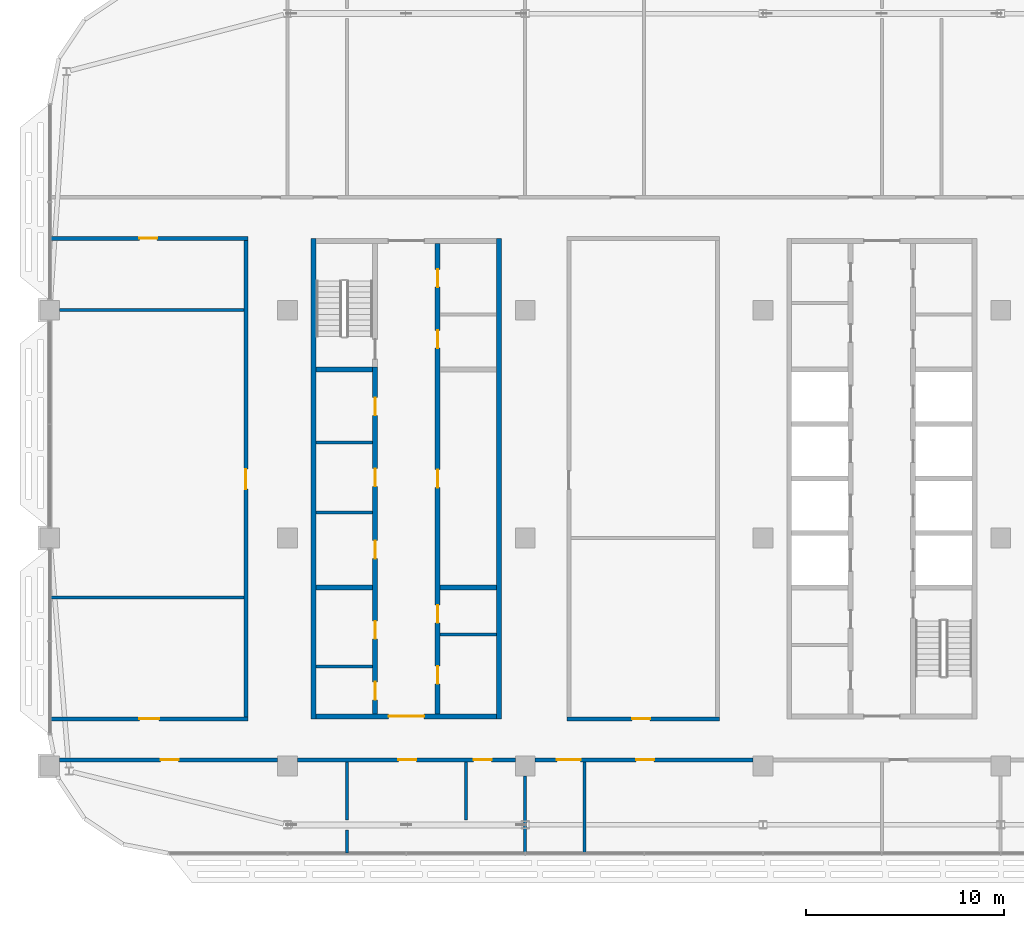
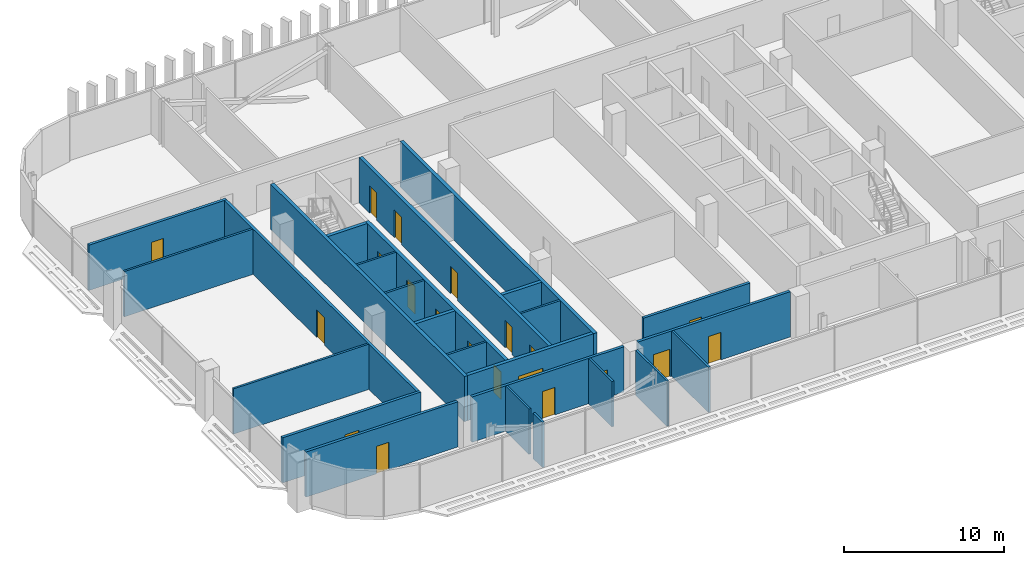
# One storey, part 17 of 32: 26 walls, 20 doors, 20 openings.
"""IFC4 building model written with IfcOpenShell, lengths in metres."""

import ifcopenshell
import ifcopenshell.guid

model = None  # the IFC model being written
_history = None  # IfcOwnerHistory: only IFC2X3 demands one
_inside = {}  # id of a spatial element -> (the spatial element, [elements in it])
_under = {}  # id of a project, library or spatial element -> (it, [spatial elements below it])
_declared = {}  # id of a project -> (the project, [libraries it declares])
_typed = {}  # id of a type object -> (the type object, [elements of that type])
_made_of = {}  # id of a material, layer set ... -> (it, [elements and type objects made of it])


def new_model(schema):
    """Start an empty IFC model of exactly this schema.

    Asked for "IFC4X3", IfcOpenShell would pick the latest addendum, in which some entities
    have other attributes; the version numbers below select the first issue.
    IFC2X3 requires an IfcOwnerHistory on every rooted entity: one is made here for all.
    """
    global model, _history
    if schema == "IFC4X3":
        model = ifcopenshell.file(schema_version=(4, 3, 0, 0))
    else:
        model = ifcopenshell.file(schema=schema)
    _inside.clear()
    _under.clear()
    _declared.clear()
    _typed.clear()
    _made_of.clear()
    _history = None
    if model.schema == "IFC2X3":
        org = make("IfcOrganization", Name="unknown")
        user = make(
            "IfcPersonAndOrganization",
            ThePerson=make("IfcPerson", FamilyName="unknown"),
            TheOrganization=org,
        )
        app = make(
            "IfcApplication",
            ApplicationDeveloper=org,
            Version="unknown",
            ApplicationFullName="unknown",
            ApplicationIdentifier="unknown",
        )
        _history = make(
            "IfcOwnerHistory",
            OwningUser=user,
            OwningApplication=app,
            ChangeAction="ADDED",
            CreationDate=0,
        )
    return model


def make(cls, **values):
    """One entity of the class cls with the attributes given. An attribute that is None is left unset."""
    return model.create_entity(
        cls, **{name: value for name, value in values.items() if value is not None}
    )


def rooted(cls, **values):
    """An entity with a GlobalId (a new one), such as an element, a storey or a relation."""
    return make(cls, GlobalId=ifcopenshell.guid.new(), OwnerHistory=_history, **values)


def si_unit(unit_type, name, prefix=None):
    """IfcSIUnit, for example si_unit("LENGTHUNIT", "METRE", prefix="MILLI")."""
    return make("IfcSIUnit", UnitType=unit_type, Prefix=prefix, Name=name)


def assignment(units):
    """IfcUnitAssignment: the units of a project."""
    return None if units is None else make("IfcUnitAssignment", Units=units)


def point(xyz):
    """IfcCartesianPoint."""
    return None if xyz is None else make("IfcCartesianPoint", Coordinates=xyz)


def direction(xyz):
    """IfcDirection."""
    return None if xyz is None else make("IfcDirection", DirectionRatios=xyz)


def frame(location, z_axis=None, x_axis=None):
    """IfcAxis2Placement3D, a coordinate frame: its origin and axes. An axis left out is left unset."""
    return make(
        "IfcAxis2Placement3D",
        Location=point(location),
        Axis=direction(z_axis),
        RefDirection=direction(x_axis),
    )


def frame_2d(location, x_axis=None):
    """IfcAxis2Placement2D, a coordinate frame in the plane: its origin and x axis."""
    return make(
        "IfcAxis2Placement2D", Location=point(location), RefDirection=direction(x_axis)
    )


def origin():
    """The frame at (0, 0, 0) with its axes left unset."""
    return frame((0.0, 0.0, 0.0))


def place(relative_to, where):
    """IfcLocalPlacement: puts the frame where relative to a parent placement (None: the world)."""
    return make(
        "IfcLocalPlacement", PlacementRelTo=relative_to, RelativePlacement=where
    )


def context(
    kind, dimensions, precision=None, world=None, true_north=None, identifier=None
):
    """IfcGeometricRepresentationContext, for example the 3D "Model" context."""
    return make(
        "IfcGeometricRepresentationContext",
        ContextIdentifier=identifier,
        ContextType=kind,
        CoordinateSpaceDimension=dimensions,
        Precision=precision,
        WorldCoordinateSystem=world,
        TrueNorth=true_north,
    )


def subcontext(parent, identifier, kind, view, scale=None):
    """IfcGeometricRepresentationSubContext, for example "Body" below "Model"."""
    return make(
        "IfcGeometricRepresentationSubContext",
        ContextIdentifier=identifier,
        ContextType=kind,
        ParentContext=parent,
        TargetScale=scale,
        TargetView=view,
    )


def project(units=None, contexts=None):
    """IfcProject with its units and contexts."""
    return rooted(
        "IfcProject",
        Name="project",
        RepresentationContexts=contexts,
        UnitsInContext=assignment(units),
    )


def spatial(cls, under=None, at=None, **own):
    """A site, building, storey or space (cls), placed at a placement, below another one or the project."""
    s = rooted(cls, ObjectPlacement=at, **own)
    if under is not None:
        _under.setdefault(under.id(), (under, []))[1].append(s)
    return s


def profile(cls, at=None, kind="AREA", **sizes):
    """A parametric profile (cls). Its sizes go by their IFC names, for example OverallWidth=200.0."""
    return make(cls, ProfileType=kind, Position=at, **sizes)


def rectangle(**sizes):
    """IfcRectangleProfileDef."""
    return profile("IfcRectangleProfileDef", **sizes)


def extrude(swept, where, along, depth):
    """IfcExtrudedAreaSolid: the profile swept, set in the frame where, extruded along a direction by depth."""
    return make(
        "IfcExtrudedAreaSolid",
        SweptArea=swept,
        Position=where,
        ExtrudedDirection=direction(along),
        Depth=depth,
    )


def shape(context_of_items, identifier, shape_type, items):
    """IfcShapeRepresentation: the items that make up one representation, for example the "Body"."""
    return make(
        "IfcShapeRepresentation",
        ContextOfItems=context_of_items,
        RepresentationIdentifier=identifier,
        RepresentationType=shape_type,
        Items=items,
    )


def material(Name=None, Category=None):
    """IfcMaterial."""
    return make("IfcMaterial", Name=Name, Category=Category)


def layer(
    of_material, thickness, ventilated=None, Name=None, Category=None, Priority=None
):
    """IfcMaterialLayer: one layer of a wall or slab, of a material (None: an air gap)."""
    return make(
        "IfcMaterialLayer",
        Material=of_material,
        LayerThickness=thickness,
        IsVentilated=ventilated,
        Name=Name,
        Category=Category,
        Priority=Priority,
    )


def layer_set(layers, Name=None):
    """IfcMaterialLayerSet."""
    return make("IfcMaterialLayerSet", MaterialLayers=layers, LayerSetName=Name)


def made_of(thing, what):
    """Note that an element or type object is made of a material, layer set ...; save() writes the relation."""
    if what is not None:
        _made_of.setdefault(what.id(), (what, []))[1].append(thing)
    return thing


def type_object(cls, material=None, **own):
    """A type object (cls), such as IfcWallType, which elements share."""
    return made_of(rooted(cls, **own), material)


def element(
    cls,
    number,
    at=None,
    inside=None,
    cuts=None,
    type_object=None,
    material=None,
    context=None,
    identifier="Body",
    shape_type=None,
    held_by="IfcProductDefinitionShape",
    body=None,
    shapes=None,
    **own,
):
    """One element of the class cls, such as IfcWall. Its Tag is "e" and its number.

    at: its placement. inside: the storey or other place that contains it. cuts: it is an
    opening in that element (IfcRelVoidsElement). A single representation is given by context,
    identifier, shape_type and body (its items); several are given by shapes. held_by: the class
    of the entity that holds the representations. save() writes the other relations.
    """
    e = rooted(cls, Tag="e%d" % number, ObjectPlacement=at, **own)
    if body is not None:
        shapes = [shape(context, identifier, shape_type, body)]
    if shapes is not None:
        e.Representation = make(held_by, Representations=shapes)
    if inside is not None:
        _inside.setdefault(inside.id(), (inside, []))[1].append(e)
    if cuts is not None:
        rooted(
            "IfcRelVoidsElement", RelatingBuildingElement=cuts, RelatedOpeningElement=e
        )
    if type_object is not None:
        _typed.setdefault(type_object.id(), (type_object, []))[1].append(e)
    return made_of(e, material)


def fill(opening, filler):
    """IfcRelFillsElement: the door or window that sits in an opening."""
    return rooted(
        "IfcRelFillsElement",
        RelatingOpeningElement=opening,
        RelatedBuildingElement=filler,
    )


def aggregate(whole, parts):
    """IfcRelAggregates: a whole, such as a stair, and the parts it consists of."""
    return rooted("IfcRelAggregates", RelatingObject=whole, RelatedObjects=parts)


def save(model, path):
    """Write the relations noted so far, then the file.

    IfcRelAggregates (storeys below a building ...), IfcRelContainedInSpatialStructure (elements
    in a storey), IfcRelDefinesByType, IfcRelAssociatesMaterial and IfcRelDeclares: one each for
    every whole, place, type object, material and project.
    """
    for whole, parts in _under.values():
        aggregate(whole, parts)
    for where, things in _inside.values():
        rooted(
            "IfcRelContainedInSpatialStructure",
            RelatedElements=things,
            RelatingStructure=where,
        )
    for kind, things in _typed.values():
        rooted("IfcRelDefinesByType", RelatedObjects=things, RelatingType=kind)
    for what, things in _made_of.values():
        rooted("IfcRelAssociatesMaterial", RelatedObjects=things, RelatingMaterial=what)
    for by, libraries in _declared.values():
        rooted("IfcRelDeclares", RelatingContext=by, RelatedDefinitions=libraries)
    model.write(path)


model = new_model("IFC4")

# Units and contexts
model_context = context("Model", 3, precision=1e-05, world=origin(), true_north=direction((0.0, 1.0)))
body_context = subcontext(model_context, "Body", "Model", "MODEL_VIEW")
ifc_project = project(units=[si_unit("LENGTHUNIT", "METRE"), si_unit("AREAUNIT", "SQUARE_METRE"), si_unit("VOLUMEUNIT", "CUBIC_METRE"), si_unit("PLANEANGLEUNIT", "RADIAN"), si_unit("MASSUNIT", "GRAM", prefix="KILO")], contexts=[model_context])

# Site, building, storey
site_placement = place(None, origin())
site = spatial("IfcSite", under=ifc_project, at=site_placement, CompositionType="ELEMENT")
building_placement = place(site_placement, origin())
building = spatial("IfcBuilding", under=site, at=building_placement, Name="Mahtab Terrace Research Tower", CompositionType="ELEMENT")
storey_placement = place(building_placement, frame((0.0, 0.0, 240.0)))
storey = spatial("IfcBuildingStorey", under=building, at=storey_placement, Name="L58", CompositionType="ELEMENT", Elevation=240.0)

# Walls
ifc_material_1 = material(Name="Gypsum board partition")
ifc_layer_1 = layer(ifc_material_1, 0.14990234375)
ifc_layer_set_1 = layer_set([ifc_layer_1], Name="Core partition 150")
wall_type_1 = type_object("IfcWallType", Name="Core partition 150", PredefinedType="PARTITIONING", material=ifc_layer_set_1)
for number, where, z_axis, x_axis, name in (
    (1, (-28.550048828125, 1.280029296875, 0.0), (0.0, 0.0, 1.0), (1.0, 0.0, 0.0), "Core wall A pWL-172"),
    (2, (-28.550048828125, 4.827392578125, 0.0), (0.0, 0.0, 1.0), (1.0, 0.0, 0.0), "Core wall A pWL183"),
    (3, (-28.550048828125, -6.47509765625, 0.0), (0.0, 0.0, 1.0), (1.0, 0.0, 0.0), "Core wall A pWS-948"),
    (4, (-22.300048828125, -4.875, 0.0), (0.0, 0.0, 1.0), (1.0, 0.0, 0.0), "Core wall A pES-788"),
):
    element("IfcWall", number, at=place(storey_placement, frame(where, z_axis=z_axis, x_axis=x_axis)), inside=storey, type_object=wall_type_1, Name=name, PredefinedType="PARTITIONING", context=body_context, shape_type="SweptSolid", body=[
        extrude(rectangle(XDim=2.85009765625, YDim=0.14990234375, at=frame_2d((1.425048828125, 0.0))), origin(), (0.0, 0.0, 1.0), 3.4599609375),
    ])
ifc_material_2 = material(Name="Concrete C70/85", Category="concrete")
ifc_layer_2 = layer(ifc_material_2, 0.25)
ifc_layer_set_2 = layer_set([ifc_layer_2], Name="Core wall 250")
wall_type_2 = type_object("IfcWallType", Name="Core wall 250", PredefinedType="SOLIDWALL", material=ifc_layer_set_2)
for number, where, z_axis, x_axis, name in (
    (5, (-28.675048828125, 15.125, 0.0), (0.0, 0.0, 1.0), (0.0, -1.0, 0.0), "Core wall A outerW"),
    (6, (-19.324951171875, -9.125, 0.0), (0.0, 0.0, 1.0), (0.0, 1.0, 0.0), "Core wall A outerE"),
):
    element("IfcWall", number, at=place(storey_placement, frame(where, z_axis=z_axis, x_axis=x_axis)), inside=storey, type_object=wall_type_2, Name=name, PredefinedType="SOLIDWALL", context=body_context, shape_type="SweptSolid", body=[
        extrude(rectangle(XDim=24.25, YDim=0.25, at=frame_2d((12.125, 0.0))), origin(), (0.0, 0.0, 1.0), 3.4599609375),
    ])

# Wall, opening, door
wall_1_placement = place(storey_placement, frame((-19.449951171875, -9.0, 0.0), z_axis=(0.0, 0.0, 1.0), x_axis=(-1.0, 0.0, 0.0)))
wall_1 = element("IfcWall", 7, at=wall_1_placement, inside=storey, type_object=wall_type_2, Name="Core wall A endS", PredefinedType="SOLIDWALL", context=body_context, shape_type="SweptSolid", body=[
    extrude(rectangle(XDim=9.10009765625, YDim=0.25, at=frame_2d((4.550048828125, 0.0))), origin(), (0.0, 0.0, 1.0), 3.4599609375),
])
opening_1_placement = place(wall_1_placement, frame((3.64990234375, 0.0, 0.0)))
opening_1 = element("IfcOpeningElement", 8, at=opening_1_placement, cuts=wall_1, Name="Opening A-S1", PredefinedType="OPENING", context=body_context, shape_type="SweptSolid", body=[
    extrude(rectangle(XDim=1.800048828125, YDim=2.10009765625, at=frame_2d((0.89990234375, 1.050048828125))), frame((0.0, 0.135009765625, 0.0), z_axis=(0.0, -1.0, 0.0), x_axis=(1.0, 0.0, 0.0)), (0.0, 0.0, 1.0), 0.27001953125),
])
ifc_material_3 = material(Name="Steel fire door", Category="steel")
door_type_1 = type_object("IfcDoorType", Name="Lobby double door 1800x2100 1 HR", OperationType="DOUBLE_DOOR_SINGLE_SWING", PredefinedType="DOOR", material=ifc_material_3)
door_1_placement = place(opening_1_placement, origin())
door_1 = element("IfcDoor", 9, at=door_1_placement, inside=storey, type_object=door_type_1, Name="Core entrance door A S", OperationType="DOUBLE_DOOR_SINGLE_SWING", OverallHeight=2.10009765625, OverallWidth=1.800048828125, PredefinedType="DOOR", context=body_context, shape_type="SweptSolid", body=[
    extrude(rectangle(XDim=1.800048828125, YDim=2.10009765625, at=frame_2d((0.89990234375, 1.050048828125))), frame((0.0, 0.02490234375, 0.0), z_axis=(0.0, -1.0, 0.0), x_axis=(1.0, 0.0, 0.0)), (0.0, 0.0, 1.0), 0.050048828125),
])
fill(opening_1, door_1)

# Wall, openings, doors
wall_2_placement = place(storey_placement, frame((-25.574951171875, -8.875, 0.0), z_axis=(0.0, 0.0, 1.0), x_axis=(0.0, 1.0, 0.0)))
wall_2 = element("IfcWall", 10, at=wall_2_placement, inside=storey, type_object=wall_type_2, Name="Core wall A innerWSL", PredefinedType="SOLIDWALL", context=body_context, shape_type="SweptSolid", body=[
    extrude(rectangle(XDim=17.5, YDim=0.25, at=frame_2d((8.75, 0.0))), origin(), (0.0, 0.0, 1.0), 3.4599609375),
])
opening_2_placement = place(wall_2_placement, frame((7.840087890625, 0.0, 0.0)))
opening_2 = element("IfcOpeningElement", 11, at=opening_2_placement, cuts=wall_2, Name="Opening A-R1", PredefinedType="OPENING", context=body_context, shape_type="SweptSolid", body=[
    extrude(rectangle(XDim=0.89990234375, YDim=2.10009765625, at=frame_2d((0.449951171875, 1.050048828125))), frame((0.0, 0.135009765625, 0.0), z_axis=(0.0, -1.0, 0.0), x_axis=(1.0, 0.0, 0.0)), (0.0, 0.0, 1.0), 0.27001953125),
])
opening_3_placement = place(wall_2_placement, frame((11.478759765625, 0.0, 0.0)))
opening_3 = element("IfcOpeningElement", 12, at=opening_3_placement, cuts=wall_2, Name="Opening A-R2", PredefinedType="OPENING", context=body_context, shape_type="SweptSolid", body=[
    extrude(rectangle(XDim=0.89990234375, YDim=2.10009765625, at=frame_2d((0.449951171875, 1.050048828125))), frame((0.0, 0.135009765625, 0.0), z_axis=(0.0, -1.0, 0.0), x_axis=(1.0, 0.0, 0.0)), (0.0, 0.0, 1.0), 0.27001953125),
])
opening_4_placement = place(wall_2_placement, frame((15.063720703125, 0.0, 0.0)))
opening_4 = element("IfcOpeningElement", 13, at=opening_4_placement, cuts=wall_2, Name="Opening A-R3", PredefinedType="OPENING", context=body_context, shape_type="SweptSolid", body=[
    extrude(rectangle(XDim=0.89990234375, YDim=2.10009765625, at=frame_2d((0.449951171875, 1.050048828125))), frame((0.0, 0.135009765625, 0.0), z_axis=(0.0, -1.0, 0.0), x_axis=(1.0, 0.0, 0.0)), (0.0, 0.0, 1.0), 0.27001953125),
])
opening_5_placement = place(wall_2_placement, frame((0.71240234375, 0.0, 0.0)))
opening_5 = element("IfcOpeningElement", 14, at=opening_5_placement, cuts=wall_2, Name="Opening A-R5", PredefinedType="OPENING", context=body_context, shape_type="SweptSolid", body=[
    extrude(rectangle(XDim=0.89990234375, YDim=2.10009765625, at=frame_2d((0.449951171875, 1.050048828125))), frame((0.0, 0.135009765625, 0.0), z_axis=(0.0, -1.0, 0.0), x_axis=(1.0, 0.0, 0.0)), (0.0, 0.0, 1.0), 0.27001953125),
])
opening_6_placement = place(wall_2_placement, frame((3.78759765625, 0.0, 0.0)))
opening_6 = element("IfcOpeningElement", 15, at=opening_6_placement, cuts=wall_2, Name="Opening A-R6", PredefinedType="OPENING", context=body_context, shape_type="SweptSolid", body=[
    extrude(rectangle(XDim=0.89990234375, YDim=2.10009765625, at=frame_2d((0.449951171875, 1.050048828125))), frame((0.0, 0.135009765625, 0.0), z_axis=(0.0, -1.0, 0.0), x_axis=(1.0, 0.0, 0.0)), (0.0, 0.0, 1.0), 0.27001953125),
])
door_type_2 = type_object("IfcDoorType", Name="Room door 900x2100 1 HR", OperationType="NOTDEFINED", PredefinedType="DOOR", material=ifc_material_3)
door_2_placement = place(opening_2_placement, origin())
door_2 = element("IfcDoor", 16, at=door_2_placement, inside=storey, type_object=door_type_2, Name="Battery room door", OperationType="SINGLE_SWING_LEFT", OverallHeight=2.10009765625, OverallWidth=0.89990234375, PredefinedType="DOOR", context=body_context, shape_type="SweptSolid", body=[
    extrude(rectangle(XDim=0.89990234375, YDim=2.10009765625, at=frame_2d((0.449951171875, 1.050048828125))), frame((0.0, 0.02490234375, 0.0), z_axis=(0.0, -1.0, 0.0), x_axis=(1.0, 0.0, 0.0)), (0.0, 0.0, 1.0), 0.050048828125),
])
fill(opening_2, door_2)
door_3_placement = place(opening_3_placement, origin())
door_3 = element("IfcDoor", 17, at=door_3_placement, inside=storey, type_object=door_type_2, Name="Cooling plant room door", OperationType="SINGLE_SWING_RIGHT", OverallHeight=2.10009765625, OverallWidth=0.89990234375, PredefinedType="DOOR", context=body_context, shape_type="SweptSolid", body=[
    extrude(rectangle(XDim=0.89990234375, YDim=2.10009765625, at=frame_2d((0.449951171875, 1.050048828125))), frame((0.0, 0.02490234375, 0.0), z_axis=(0.0, -1.0, 0.0), x_axis=(1.0, 0.0, 0.0)), (0.0, 0.0, 1.0), 0.050048828125),
])
fill(opening_3, door_3)
door_4_placement = place(opening_4_placement, origin())
door_4 = element("IfcDoor", 18, at=door_4_placement, inside=storey, type_object=door_type_2, Name="Spare parts store door", OperationType="SINGLE_SWING_LEFT", OverallHeight=2.10009765625, OverallWidth=0.89990234375, PredefinedType="DOOR", context=body_context, shape_type="SweptSolid", body=[
    extrude(rectangle(XDim=0.89990234375, YDim=2.10009765625, at=frame_2d((0.449951171875, 1.050048828125))), frame((0.0, 0.02490234375, 0.0), z_axis=(0.0, -1.0, 0.0), x_axis=(1.0, 0.0, 0.0)), (0.0, 0.0, 1.0), 0.050048828125),
])
fill(opening_4, door_4)
door_5_placement = place(opening_5_placement, origin())
door_5 = element("IfcDoor", 19, at=door_5_placement, inside=storey, type_object=door_type_2, Name="Accessible WC door", OperationType="SINGLE_SWING_LEFT", OverallHeight=2.10009765625, OverallWidth=0.89990234375, PredefinedType="DOOR", context=body_context, shape_type="SweptSolid", body=[
    extrude(rectangle(XDim=0.89990234375, YDim=2.10009765625, at=frame_2d((0.449951171875, 1.050048828125))), frame((0.0, 0.02490234375, 0.0), z_axis=(0.0, -1.0, 0.0), x_axis=(1.0, 0.0, 0.0)), (0.0, 0.0, 1.0), 0.050048828125),
])
fill(opening_5, door_5)
door_6_placement = place(opening_6_placement, origin())
door_6 = element("IfcDoor", 20, at=door_6_placement, inside=storey, type_object=door_type_2, Name="WC block door", OperationType="SINGLE_SWING_RIGHT", OverallHeight=2.10009765625, OverallWidth=0.89990234375, PredefinedType="DOOR", context=body_context, shape_type="SweptSolid", body=[
    extrude(rectangle(XDim=0.89990234375, YDim=2.10009765625, at=frame_2d((0.449951171875, 1.050048828125))), frame((0.0, 0.02490234375, 0.0), z_axis=(0.0, -1.0, 0.0), x_axis=(1.0, 0.0, 0.0)), (0.0, 0.0, 1.0), 0.050048828125),
])
fill(opening_6, door_6)

wall_3_placement = place(storey_placement, frame((-22.425048828125, 14.875, 0.0), z_axis=(0.0, 0.0, 1.0), x_axis=(0.0, -1.0, 0.0)))
wall_3 = element("IfcWall", 21, at=wall_3_placement, inside=storey, type_object=wall_type_2, Name="Core wall A innerESLN", PredefinedType="SOLIDWALL", context=body_context, shape_type="SweptSolid", body=[
    extrude(rectangle(XDim=23.75, YDim=0.25, at=frame_2d((11.875, 0.0))), origin(), (0.0, 0.0, 1.0), 3.4599609375),
])
opening_7_placement = place(wall_3_placement, frame((11.425048828125, 0.0, 0.0)))
opening_7 = element("IfcOpeningElement", 22, at=opening_7_placement, cuts=wall_3, Name="Opening A-R4", PredefinedType="OPENING", context=body_context, shape_type="SweptSolid", body=[
    extrude(rectangle(XDim=0.89990234375, YDim=2.10009765625, at=frame_2d((0.449951171875, 1.050048828125))), frame((0.0, 0.135009765625, 0.0), z_axis=(0.0, -1.0, 0.0), x_axis=(1.0, 0.0, 0.0)), (0.0, 0.0, 1.0), 0.27001953125),
])
opening_8_placement = place(wall_3_placement, frame((21.33740234375, 0.0, 0.0)))
opening_8 = element("IfcOpeningElement", 23, at=opening_8_placement, cuts=wall_3, Name="Opening A-R7", PredefinedType="OPENING", context=body_context, shape_type="SweptSolid", body=[
    extrude(rectangle(XDim=0.89990234375, YDim=2.10009765625, at=frame_2d((0.449951171875, 1.050048828125))), frame((0.0, 0.135009765625, 0.0), z_axis=(0.0, -1.0, 0.0), x_axis=(1.0, 0.0, 0.0)), (0.0, 0.0, 1.0), 0.27001953125),
])
opening_9_placement = place(wall_3_placement, frame((18.262451171875, 0.0, 0.0)))
opening_9 = element("IfcOpeningElement", 24, at=opening_9_placement, cuts=wall_3, Name="Opening A-R8", PredefinedType="OPENING", context=body_context, shape_type="SweptSolid", body=[
    extrude(rectangle(XDim=0.89990234375, YDim=2.10009765625, at=frame_2d((0.449951171875, 1.050048828125))), frame((0.0, 0.135009765625, 0.0), z_axis=(0.0, -1.0, 0.0), x_axis=(1.0, 0.0, 0.0)), (0.0, 0.0, 1.0), 0.27001953125),
])
opening_10_placement = place(wall_3_placement, frame((4.387451171875, 0.0, 0.0)))
opening_10 = element("IfcOpeningElement", 25, at=opening_10_placement, cuts=wall_3, Name="Opening A-R9", PredefinedType="OPENING", context=body_context, shape_type="SweptSolid", body=[
    extrude(rectangle(XDim=0.89990234375, YDim=2.10009765625, at=frame_2d((0.449951171875, 1.050048828125))), frame((0.0, 0.135009765625, 0.0), z_axis=(0.0, -1.0, 0.0), x_axis=(1.0, 0.0, 0.0)), (0.0, 0.0, 1.0), 0.27001953125),
])
opening_11_placement = place(wall_3_placement, frame((1.3125, 0.0, 0.0)))
opening_11 = element("IfcOpeningElement", 26, at=opening_11_placement, cuts=wall_3, Name="Opening A-R10", PredefinedType="OPENING", context=body_context, shape_type="SweptSolid", body=[
    extrude(rectangle(XDim=0.89990234375, YDim=2.10009765625, at=frame_2d((0.449951171875, 1.050048828125))), frame((0.0, 0.135009765625, 0.0), z_axis=(0.0, -1.0, 0.0), x_axis=(1.0, 0.0, 0.0)), (0.0, 0.0, 1.0), 0.27001953125),
])
door_7_placement = place(opening_7_placement, origin())
door_7 = element("IfcDoor", 27, at=door_7_placement, inside=storey, type_object=door_type_2, Name="Plant room door", OperationType="SINGLE_SWING_RIGHT", OverallHeight=2.10009765625, OverallWidth=0.89990234375, PredefinedType="DOOR", context=body_context, shape_type="SweptSolid", body=[
    extrude(rectangle(XDim=0.89990234375, YDim=2.10009765625, at=frame_2d((0.449951171875, 1.050048828125))), frame((0.0, 0.02490234375, 0.0), z_axis=(0.0, -1.0, 0.0), x_axis=(1.0, 0.0, 0.0)), (0.0, 0.0, 1.0), 0.050048828125),
])
fill(opening_7, door_7)
door_8_placement = place(opening_8_placement, origin())
door_8 = element("IfcDoor", 28, at=door_8_placement, inside=storey, type_object=door_type_2, Name="IT equipment room door", OperationType="SINGLE_SWING_LEFT", OverallHeight=2.10009765625, OverallWidth=0.89990234375, PredefinedType="DOOR", context=body_context, shape_type="SweptSolid", body=[
    extrude(rectangle(XDim=0.89990234375, YDim=2.10009765625, at=frame_2d((0.449951171875, 1.050048828125))), frame((0.0, 0.02490234375, 0.0), z_axis=(0.0, -1.0, 0.0), x_axis=(1.0, 0.0, 0.0)), (0.0, 0.0, 1.0), 0.050048828125),
])
fill(opening_8, door_8)
door_9_placement = place(opening_9_placement, origin())
door_9 = element("IfcDoor", 29, at=door_9_placement, inside=storey, type_object=door_type_2, Name="Electrical riser room door", OperationType="SINGLE_SWING_RIGHT", OverallHeight=2.10009765625, OverallWidth=0.89990234375, PredefinedType="DOOR", context=body_context, shape_type="SweptSolid", body=[
    extrude(rectangle(XDim=0.89990234375, YDim=2.10009765625, at=frame_2d((0.449951171875, 1.050048828125))), frame((0.0, 0.02490234375, 0.0), z_axis=(0.0, -1.0, 0.0), x_axis=(1.0, 0.0, 0.0)), (0.0, 0.0, 1.0), 0.050048828125),
])
fill(opening_9, door_9)
door_10_placement = place(opening_10_placement, origin())
door_10 = element("IfcDoor", 30, at=door_10_placement, inside=storey, type_object=door_type_2, Name="Mechanical riser room door", OperationType="SINGLE_SWING_LEFT", OverallHeight=2.10009765625, OverallWidth=0.89990234375, PredefinedType="DOOR", context=body_context, shape_type="SweptSolid", body=[
    extrude(rectangle(XDim=0.89990234375, YDim=2.10009765625, at=frame_2d((0.449951171875, 1.050048828125))), frame((0.0, 0.02490234375, 0.0), z_axis=(0.0, -1.0, 0.0), x_axis=(1.0, 0.0, 0.0)), (0.0, 0.0, 1.0), 0.050048828125),
])
fill(opening_10, door_10)
door_11_placement = place(opening_11_placement, origin())
door_11 = element("IfcDoor", 31, at=door_11_placement, inside=storey, type_object=door_type_2, Name="Chemical store door", OperationType="SINGLE_SWING_RIGHT", OverallHeight=2.10009765625, OverallWidth=0.89990234375, PredefinedType="DOOR", context=body_context, shape_type="SweptSolid", body=[
    extrude(rectangle(XDim=0.89990234375, YDim=2.10009765625, at=frame_2d((0.449951171875, 1.050048828125))), frame((0.0, 0.02490234375, 0.0), z_axis=(0.0, -1.0, 0.0), x_axis=(1.0, 0.0, 0.0)), (0.0, 0.0, 1.0), 0.050048828125),
])
fill(opening_11, door_11)

# Walls
for number, where, z_axis, x_axis, name in (
    (32, (-28.550048828125, -2.5, 0.0), (0.0, 0.0, 1.0), (1.0, 0.0, 0.0), "Core wall A divW0"),
    (33, (-28.550048828125, 8.5, 0.0), (0.0, 0.0, 1.0), (1.0, 0.0, 0.0), "Core wall A divW4"),
    (34, (-22.300048828125, -2.5, 0.0), (0.0, 0.0, 1.0), (1.0, 0.0, 0.0), "Core wall A divE0"),
):
    element("IfcWall", number, at=place(storey_placement, frame(where, z_axis=z_axis, x_axis=x_axis)), inside=storey, type_object=wall_type_2, Name=name, PredefinedType="SOLIDWALL", context=body_context, shape_type="SweptSolid", body=[
        extrude(rectangle(XDim=2.85009765625, YDim=0.25, at=frame_2d((1.425048828125, 0.0))), origin(), (0.0, 0.0, 1.0), 3.4599609375),
    ])

# Wall, opening, door
ifc_material_4 = material(Name="Gypsum board corridor wall on steel studs", Category="steel")
ifc_layer_3 = layer(ifc_material_4, 0.199951171875)
ifc_layer_set_3 = layer_set([ifc_layer_3], Name="WALL CORRIDOR 200")
wall_type_3 = type_object("IfcWallType", Name="WALL CORRIDOR 200", PredefinedType="PARTITIONING", material=ifc_layer_set_3)
wall_4_placement = place(storey_placement, frame((-41.5, -11.199951171875, 0.0), z_axis=(0.0, 0.0, 1.0), x_axis=(1.0, 0.0, 0.0)))
wall_4 = element("IfcWall", 35, at=wall_4_placement, inside=storey, type_object=wall_type_3, Name="L58-W001", PredefinedType="PARTITIONING", context=body_context, shape_type="SweptSolid", body=[
    extrude(rectangle(XDim=11.0, YDim=0.199951171875, at=frame_2d((5.5, 0.0))), origin(), (0.0, 0.0, 1.0), 3.4599609375),
])
opening_12_placement = place(wall_4_placement, frame((5.10009765625, 0.0, 0.0)))
opening_12 = element("IfcOpeningElement", 36, at=opening_12_placement, cuts=wall_4, Name="Opening L58-101", PredefinedType="OPENING", context=body_context, shape_type="SweptSolid", body=[
    extrude(rectangle(XDim=0.89990234375, YDim=2.10009765625, at=frame_2d((0.449951171875, 1.050048828125))), frame((0.0, 0.10986328125, 0.0), z_axis=(0.0, -1.0, 0.0), x_axis=(1.0, 0.0, 0.0)), (0.0, 0.0, 1.0), 0.219970703125),
])
ifc_material_5 = material(Name="Timber door leaf in steel frame", Category="steel")
door_type_3 = type_object("IfcDoorType", Name="DOOR 0900X2100 FD30S", OperationType="SINGLE_SWING_LEFT", PredefinedType="DOOR", material=ifc_material_5)
door_12_placement = place(opening_12_placement, origin())
door_12 = element("IfcDoor", 37, at=door_12_placement, inside=storey, type_object=door_type_3, Name="Door L58-101", OperationType="SINGLE_SWING_LEFT", OverallHeight=2.10009765625, OverallWidth=0.89990234375, PredefinedType="DOOR", context=body_context, shape_type="SweptSolid", body=[
    extrude(rectangle(XDim=0.89990234375, YDim=2.10009765625, at=frame_2d((0.449951171875, 1.050048828125))), frame((0.0, 0.02490234375, 0.0), z_axis=(0.0, -1.0, 0.0), x_axis=(1.0, 0.0, 0.0)), (0.0, 0.0, 1.0), 0.050048828125),
])
fill(opening_12, door_12)

# Wall, openings, doors
wall_5_placement = place(storey_placement, frame((-29.5, -11.199951171875, 0.0), z_axis=(0.0, 0.0, 1.0), x_axis=(1.0, 0.0, 0.0)))
wall_5 = element("IfcWall", 38, at=wall_5_placement, inside=storey, type_object=wall_type_3, Name="L58-W002", PredefinedType="PARTITIONING", context=body_context, shape_type="SweptSolid", body=[
    extrude(rectangle(XDim=11.0, YDim=0.199951171875, at=frame_2d((5.5, 0.0))), origin(), (0.0, 0.0, 1.0), 3.4599609375),
])
opening_13_placement = place(wall_5_placement, frame((5.10009765625, 0.0, 0.0)))
opening_13 = element("IfcOpeningElement", 39, at=opening_13_placement, cuts=wall_5, Name="Opening L58-102", PredefinedType="OPENING", context=body_context, shape_type="SweptSolid", body=[
    extrude(rectangle(XDim=0.89990234375, YDim=2.10009765625, at=frame_2d((0.449951171875, 1.050048828125))), frame((0.0, 0.10986328125, 0.0), z_axis=(0.0, -1.0, 0.0), x_axis=(1.0, 0.0, 0.0)), (0.0, 0.0, 1.0), 0.219970703125),
])
opening_14_placement = place(wall_5_placement, frame((8.89990234375, 0.0, 0.0)))
opening_14 = element("IfcOpeningElement", 40, at=opening_14_placement, cuts=wall_5, Name="Opening L58-103", PredefinedType="OPENING", context=body_context, shape_type="SweptSolid", body=[
    extrude(rectangle(XDim=0.89990234375, YDim=2.10009765625, at=frame_2d((0.449951171875, 1.050048828125))), frame((0.0, 0.10986328125, 0.0), z_axis=(0.0, -1.0, 0.0), x_axis=(1.0, 0.0, 0.0)), (0.0, 0.0, 1.0), 0.219970703125),
])
door_13_placement = place(opening_13_placement, origin())
door_13 = element("IfcDoor", 41, at=door_13_placement, inside=storey, type_object=door_type_3, Name="Door L58-102", OperationType="SINGLE_SWING_LEFT", OverallHeight=2.10009765625, OverallWidth=0.89990234375, PredefinedType="DOOR", context=body_context, shape_type="SweptSolid", body=[
    extrude(rectangle(XDim=0.89990234375, YDim=2.10009765625, at=frame_2d((0.449951171875, 1.050048828125))), frame((0.0, 0.02490234375, 0.0), z_axis=(0.0, -1.0, 0.0), x_axis=(1.0, 0.0, 0.0)), (0.0, 0.0, 1.0), 0.050048828125),
])
fill(opening_13, door_13)
door_14_placement = place(opening_14_placement, origin())
door_14 = element("IfcDoor", 42, at=door_14_placement, inside=storey, type_object=door_type_3, Name="Door L58-103", OperationType="SINGLE_SWING_LEFT", OverallHeight=2.10009765625, OverallWidth=0.89990234375, PredefinedType="DOOR", context=body_context, shape_type="SweptSolid", body=[
    extrude(rectangle(XDim=0.89990234375, YDim=2.10009765625, at=frame_2d((0.449951171875, 1.050048828125))), frame((0.0, 0.02490234375, 0.0), z_axis=(0.0, -1.0, 0.0), x_axis=(1.0, 0.0, 0.0)), (0.0, 0.0, 1.0), 0.050048828125),
])
fill(opening_14, door_14)

wall_6_placement = place(storey_placement, frame((-17.5, -11.199951171875, 0.0), z_axis=(0.0, 0.0, 1.0), x_axis=(1.0, 0.0, 0.0)))
wall_6 = element("IfcWall", 43, at=wall_6_placement, inside=storey, type_object=wall_type_3, Name="L58-W003", PredefinedType="PARTITIONING", context=body_context, shape_type="SweptSolid", body=[
    extrude(rectangle(XDim=11.0, YDim=0.199951171875, at=frame_2d((5.5, 0.0))), origin(), (0.0, 0.0, 1.0), 3.4599609375),
])
opening_15_placement = place(wall_6_placement, frame((1.10009765625, 0.0, 0.0)))
opening_15 = element("IfcOpeningElement", 44, at=opening_15_placement, cuts=wall_6, Name="Opening L58-104", PredefinedType="OPENING", context=body_context, shape_type="SweptSolid", body=[
    extrude(rectangle(XDim=1.199951171875, YDim=2.10009765625, at=frame_2d((0.60009765625, 1.050048828125))), frame((0.0, 0.10986328125, 0.0), z_axis=(0.0, -1.0, 0.0), x_axis=(1.0, 0.0, 0.0)), (0.0, 0.0, 1.0), 0.219970703125),
])
opening_16_placement = place(wall_6_placement, frame((5.10009765625, 0.0, 0.0)))
opening_16 = element("IfcOpeningElement", 45, at=opening_16_placement, cuts=wall_6, Name="Opening L58-105", PredefinedType="OPENING", context=body_context, shape_type="SweptSolid", body=[
    extrude(rectangle(XDim=0.89990234375, YDim=2.10009765625, at=frame_2d((0.449951171875, 1.050048828125))), frame((0.0, 0.10986328125, 0.0), z_axis=(0.0, -1.0, 0.0), x_axis=(1.0, 0.0, 0.0)), (0.0, 0.0, 1.0), 0.219970703125),
])
door_15_placement = place(opening_16_placement, origin())
door_15 = element("IfcDoor", 46, at=door_15_placement, inside=storey, type_object=door_type_3, Name="Door L58-105", OperationType="SINGLE_SWING_LEFT", OverallHeight=2.10009765625, OverallWidth=0.89990234375, PredefinedType="DOOR", context=body_context, shape_type="SweptSolid", body=[
    extrude(rectangle(XDim=0.89990234375, YDim=2.10009765625, at=frame_2d((0.449951171875, 1.050048828125))), frame((0.0, 0.02490234375, 0.0), z_axis=(0.0, -1.0, 0.0), x_axis=(1.0, 0.0, 0.0)), (0.0, 0.0, 1.0), 0.050048828125),
])
fill(opening_16, door_15)
door_type_4 = type_object("IfcDoorType", Name="DOOR 1200X2100 FD30S", OperationType="SINGLE_SWING_LEFT", PredefinedType="DOOR", material=ifc_material_5)
door_16_placement = place(opening_15_placement, origin())
door_16 = element("IfcDoor", 47, at=door_16_placement, inside=storey, type_object=door_type_4, Name="Door L58-104", OperationType="SINGLE_SWING_RIGHT", OverallHeight=2.10009765625, OverallWidth=1.199951171875, PredefinedType="DOOR", context=body_context, shape_type="SweptSolid", body=[
    extrude(rectangle(XDim=1.199951171875, YDim=2.10009765625, at=frame_2d((0.60009765625, 1.050048828125))), frame((0.0, 0.02490234375, 0.0), z_axis=(0.0, -1.0, 0.0), x_axis=(1.0, 0.0, 0.0)), (0.0, 0.0, 1.0), 0.050048828125),
])
fill(opening_15, door_16)

# Wall, opening, door
wall_7_placement = place(storey_placement, frame((-41.97509765625, -9.125, 0.0), z_axis=(0.0, 0.0, 1.0), x_axis=(1.0, 0.0, 0.0)))
wall_7 = element("IfcWall", 48, at=wall_7_placement, inside=storey, type_object=wall_type_3, Name="L58-W010", PredefinedType="PARTITIONING", context=body_context, shape_type="SweptSolid", body=[
    extrude(rectangle(XDim=9.97509765625, YDim=0.199951171875, at=frame_2d((4.987548828125, 0.0))), origin(), (0.0, 0.0, 1.0), 3.4599609375),
])
opening_17_placement = place(wall_7_placement, frame((4.5, 0.0, 0.0)))
opening_17 = element("IfcOpeningElement", 49, at=opening_17_placement, cuts=wall_7, Name="Opening L58-112", PredefinedType="OPENING", context=body_context, shape_type="SweptSolid", body=[
    extrude(rectangle(XDim=1.0, YDim=2.10009765625, at=frame_2d((0.5, 1.050048828125))), frame((0.0, 0.10986328125, 0.0), z_axis=(0.0, -1.0, 0.0), x_axis=(1.0, 0.0, 0.0)), (0.0, 0.0, 1.0), 0.219970703125),
])
door_type_5 = type_object("IfcDoorType", Name="DOOR 1000X2100 FD30S", OperationType="SINGLE_SWING_LEFT", PredefinedType="DOOR", material=ifc_material_5)
door_17_placement = place(opening_17_placement, origin())
door_17 = element("IfcDoor", 50, at=door_17_placement, inside=storey, type_object=door_type_5, Name="Door L58-112", OperationType="SINGLE_SWING_RIGHT", OverallHeight=2.10009765625, OverallWidth=1.0, PredefinedType="DOOR", context=body_context, shape_type="SweptSolid", body=[
    extrude(rectangle(XDim=1.0, YDim=2.10009765625, at=frame_2d((0.5, 1.050048828125))), frame((0.0, 0.02490234375, 0.0), z_axis=(0.0, -1.0, 0.0), x_axis=(1.0, 0.0, 0.0)), (0.0, 0.0, 1.0), 0.050048828125),
])
fill(opening_17, door_17)

wall_8_placement = place(storey_placement, frame((-15.89990234375, -9.125, 0.0), z_axis=(0.0, 0.0, 1.0), x_axis=(1.0, 0.0, 0.0)))
wall_8 = element("IfcWall", 51, at=wall_8_placement, inside=storey, type_object=wall_type_3, Name="L58-W011", PredefinedType="PARTITIONING", context=body_context, shape_type="SweptSolid", body=[
    extrude(rectangle(XDim=7.699951171875, YDim=0.199951171875, at=frame_2d((3.85009765625, 0.0))), origin(), (0.0, 0.0, 1.0), 3.4599609375),
])
opening_18_placement = place(wall_8_placement, frame((3.300048828125, 0.0, 0.0)))
opening_18 = element("IfcOpeningElement", 52, at=opening_18_placement, cuts=wall_8, Name="Opening L58-114", PredefinedType="OPENING", context=body_context, shape_type="SweptSolid", body=[
    extrude(rectangle(XDim=0.89990234375, YDim=2.10009765625, at=frame_2d((0.449951171875, 1.050048828125))), frame((0.0, 0.10986328125, 0.0), z_axis=(0.0, -1.0, 0.0), x_axis=(1.0, 0.0, 0.0)), (0.0, 0.0, 1.0), 0.219970703125),
])
door_18_placement = place(opening_18_placement, origin())
door_18 = element("IfcDoor", 53, at=door_18_placement, inside=storey, type_object=door_type_3, Name="Door L58-114", OperationType="SINGLE_SWING_LEFT", OverallHeight=2.10009765625, OverallWidth=0.89990234375, PredefinedType="DOOR", context=body_context, shape_type="SweptSolid", body=[
    extrude(rectangle(XDim=0.89990234375, YDim=2.10009765625, at=frame_2d((0.449951171875, 1.050048828125))), frame((0.0, 0.02490234375, 0.0), z_axis=(0.0, -1.0, 0.0), x_axis=(1.0, 0.0, 0.0)), (0.0, 0.0, 1.0), 0.050048828125),
])
fill(opening_18, door_18)

wall_9_placement = place(storey_placement, frame((-41.97509765625, 15.125, 0.0), z_axis=(0.0, 0.0, 1.0), x_axis=(1.0, 0.0, 0.0)))
wall_9 = element("IfcWall", 54, at=wall_9_placement, inside=storey, type_object=wall_type_3, Name="L58-W021", PredefinedType="PARTITIONING", context=body_context, shape_type="SweptSolid", body=[
    extrude(rectangle(XDim=9.97509765625, YDim=0.199951171875, at=frame_2d((4.987548828125, 0.0))), origin(), (0.0, 0.0, 1.0), 3.4599609375),
])
opening_19_placement = place(wall_9_placement, frame((4.5, 0.0, 0.0)))
opening_19 = element("IfcOpeningElement", 55, at=opening_19_placement, cuts=wall_9, Name="Opening L58-120", PredefinedType="OPENING", context=body_context, shape_type="SweptSolid", body=[
    extrude(rectangle(XDim=0.89990234375, YDim=2.10009765625, at=frame_2d((0.449951171875, 1.050048828125))), frame((0.0, 0.10986328125, 0.0), z_axis=(0.0, -1.0, 0.0), x_axis=(1.0, 0.0, 0.0)), (0.0, 0.0, 1.0), 0.219970703125),
])
door_19_placement = place(opening_19_placement, origin())
door_19 = element("IfcDoor", 56, at=door_19_placement, inside=storey, type_object=door_type_3, Name="Door L58-120", OperationType="SINGLE_SWING_LEFT", OverallHeight=2.10009765625, OverallWidth=0.89990234375, PredefinedType="DOOR", context=body_context, shape_type="SweptSolid", body=[
    extrude(rectangle(XDim=0.89990234375, YDim=2.10009765625, at=frame_2d((0.449951171875, 1.050048828125))), frame((0.0, 0.02490234375, 0.0), z_axis=(0.0, -1.0, 0.0), x_axis=(1.0, 0.0, 0.0)), (0.0, 0.0, 1.0), 0.050048828125),
])
fill(opening_19, door_19)

wall_10_placement = place(storey_placement, frame((-32.10009765625, -9.02490234375, 0.0), z_axis=(0.0, 0.0, 1.0), x_axis=(0.0, 1.0, 0.0)))
wall_10 = element("IfcWall", 57, at=wall_10_placement, inside=storey, type_object=wall_type_3, Name="L58-W026", PredefinedType="PARTITIONING", context=body_context, shape_type="SweptSolid", body=[
    extrude(rectangle(XDim=24.0498046875, YDim=0.199951171875, at=frame_2d((12.02490234375, 0.0))), origin(), (0.0, 0.0, 1.0), 3.4599609375),
])
opening_20_placement = place(wall_10_placement, frame((11.5, 0.0, 0.0)))
opening_20 = element("IfcOpeningElement", 58, at=opening_20_placement, cuts=wall_10, Name="Opening L58-116", PredefinedType="OPENING", context=body_context, shape_type="SweptSolid", body=[
    extrude(rectangle(XDim=1.0, YDim=2.10009765625, at=frame_2d((0.5, 1.050048828125))), frame((0.0, 0.10986328125, 0.0), z_axis=(0.0, -1.0, 0.0), x_axis=(1.0, 0.0, 0.0)), (0.0, 0.0, 1.0), 0.219970703125),
])
door_20_placement = place(opening_20_placement, origin())
door_20 = element("IfcDoor", 59, at=door_20_placement, inside=storey, type_object=door_type_5, Name="Door L58-116", OperationType="SINGLE_SWING_LEFT", OverallHeight=2.10009765625, OverallWidth=1.0, PredefinedType="DOOR", context=body_context, shape_type="SweptSolid", body=[
    extrude(rectangle(XDim=1.0, YDim=2.10009765625, at=frame_2d((0.5, 1.050048828125))), frame((0.0, 0.02490234375, 0.0), z_axis=(0.0, -1.0, 0.0), x_axis=(1.0, 0.0, 0.0)), (0.0, 0.0, 1.0), 0.050048828125),
])
fill(opening_20, door_20)

# Walls
ifc_material_6 = material(Name="Gypsum board partition on steel studs", Category="steel")
ifc_layer_4 = layer(ifc_material_6, 0.14990234375)
ifc_layer_set_4 = layer_set([ifc_layer_4], Name="WALL PARTITION 150")
wall_type_4 = type_object("IfcWallType", Name="WALL PARTITION 150", PredefinedType="PARTITIONING", material=ifc_layer_set_4)
wall_11_placement = place(storey_placement, frame((-41.97509765625, -3.0, 0.0), z_axis=(0.0, 0.0, 1.0), x_axis=(1.0, 0.0, 0.0)))
element("IfcWall", 60, at=wall_11_placement, inside=storey, type_object=wall_type_4, Name="L58-W014", PredefinedType="PARTITIONING", context=body_context, shape_type="SweptSolid", body=[
    extrude(rectangle(XDim=9.775146484375, YDim=0.14990234375, at=frame_2d((4.8876953125, 0.0))), origin(), (0.0, 0.0, 1.0), 3.4599609375),
])
wall_12_placement = place(storey_placement, frame((-41.5, 11.5, 0.0), z_axis=(0.0, 0.0, 1.0), x_axis=(1.0, 0.0, 0.0)))
element("IfcWall", 61, at=wall_12_placement, inside=storey, type_object=wall_type_4, Name="L58-W019", PredefinedType="PARTITIONING", context=body_context, shape_type="SweptSolid", body=[
    extrude(rectangle(XDim=9.300048828125, YDim=0.14990234375, at=frame_2d((4.64990234375, 0.0))), origin(), (0.0, 0.0, 1.0), 3.4599609375),
])
wall_13_placement = place(storey_placement, frame((-27.0, -15.89208984375, 0.0), z_axis=(0.0, 0.0, 1.0), x_axis=(0.0, 1.0, 0.0)))
element("IfcWall", 62, at=wall_13_placement, inside=storey, type_object=wall_type_4, Name="L58-W028", PredefinedType="PARTITIONING", context=body_context, shape_type="SweptSolid", body=[
    extrude(rectangle(XDim=1.166748046875, YDim=0.14990234375, at=frame_2d((0.58349609375, 0.0))), origin(), (0.0, 0.0, 1.0), 3.4599609375),
])
for number, where, z_axis, x_axis, name in (
    (63, (-27.0, -14.220703125, 0.0), (0.0, 0.0, 1.0), (0.0, 1.0, 0.0), "L58-W029"),
    (64, (-21.0, -14.220703125, 0.0), (0.0, 0.0, 1.0), (0.0, 1.0, 0.0), "L58-W032"),
):
    element("IfcWall", number, at=place(storey_placement, frame(where, z_axis=z_axis, x_axis=x_axis)), inside=storey, type_object=wall_type_4, Name=name, PredefinedType="PARTITIONING", context=body_context, shape_type="SweptSolid", body=[
        extrude(rectangle(XDim=2.920654296875, YDim=0.14990234375, at=frame_2d((1.46044921875, 0.0))), origin(), (0.0, 0.0, 1.0), 3.4599609375),
    ])
wall_14_placement = place(storey_placement, frame((-18.0, -15.89208984375, 0.0), z_axis=(0.0, 0.0, 1.0), x_axis=(0.0, 1.0, 0.0)))
element("IfcWall", 65, at=wall_14_placement, inside=storey, type_object=wall_type_4, Name="L58-W033", PredefinedType="PARTITIONING", context=body_context, shape_type="SweptSolid", body=[
    extrude(rectangle(XDim=3.89208984375, YDim=0.14990234375, at=frame_2d((1.946044921875, 0.0))), origin(), (0.0, 0.0, 1.0), 3.4599609375),
])
wall_15_placement = place(storey_placement, frame((-15.0, -15.89208984375, 0.0), z_axis=(0.0, 0.0, 1.0), x_axis=(0.0, 1.0, 0.0)))
element("IfcWall", 66, at=wall_15_placement, inside=storey, type_object=wall_type_4, Name="L58-W036", PredefinedType="PARTITIONING", context=body_context, shape_type="SweptSolid", body=[
    extrude(rectangle(XDim=4.592041015625, YDim=0.14990234375, at=frame_2d((2.2958984375, 0.0))), origin(), (0.0, 0.0, 1.0), 3.4599609375),
])

save(model, "model.ifc")
